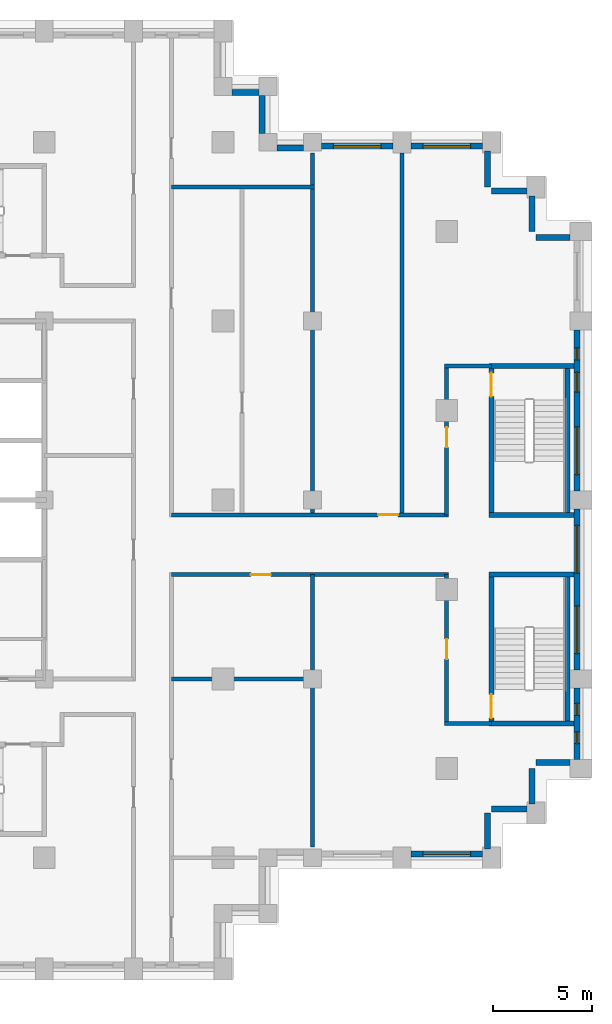
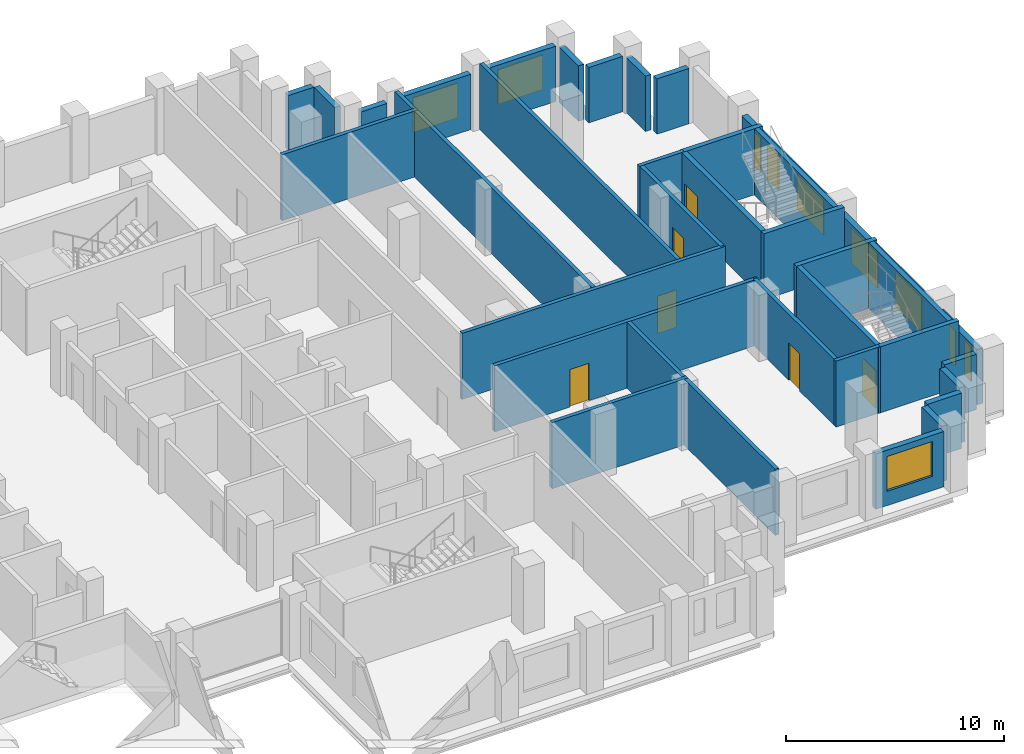
# One storey, part 12 of 16: 36 walls, 10 windows, 6 doors, 16 openings.
"""IFC4 building model written with IfcOpenShell, lengths in metres."""

from ifc_helpers import new_model, si_unit, direction, frame, frame_2d, origin, place, context, subcontext, project, spatial, rectangle, extrude, material, layer, layer_set, type_object, element, fill, save


model = new_model("IFC4")

# Units and contexts
model_context = context("Model", 3, precision=1e-05, world=origin(), true_north=direction((0.0, 1.0)))
body_context = subcontext(model_context, "Body", "Model", "MODEL_VIEW")
ifc_project = project(units=[si_unit("LENGTHUNIT", "METRE"), si_unit("AREAUNIT", "SQUARE_METRE"), si_unit("VOLUMEUNIT", "CUBIC_METRE"), si_unit("PLANEANGLEUNIT", "RADIAN"), si_unit("MASSUNIT", "GRAM", prefix="KILO")], contexts=[model_context])

# Site, building, storey
site_placement = place(None, origin())
site = spatial("IfcSite", under=ifc_project, at=site_placement, CompositionType="ELEMENT")
building_placement = place(site_placement, origin())
building = spatial("IfcBuilding", under=site, at=building_placement, Name="Corbelhall Arena Tower", CompositionType="ELEMENT")
storey_placement = place(building_placement, frame((0.0, 0.0, 150.0)))
storey = spatial("IfcBuildingStorey", under=building, at=storey_placement, Name="L29", CompositionType="ELEMENT", Elevation=150.0)

# Walls
ifc_material_1 = material(Name="Precast concrete C40/50 with granite facing", Category="masonry")
ifc_layer_1 = layer(ifc_material_1, 0.300048828125)
ifc_layer_set_1 = layer_set([ifc_layer_1], Name="EV-IW1 Infill panel 300")
wall_type_1 = type_object("IfcWallType", Name="EV-IW1 Infill panel 300", PredefinedType="SOLIDWALL", material=ifc_layer_set_1)
for number, where, z_axis, x_axis, name in (
    (1, (35.800048828125, -17.550048828125, 0.0), (0.0, 0.0, 1.0), (0.0, 1.0, 0.0), "Infill panel IW1"),
    (2, (37.800048828125, -15.550048828125, 0.0), (0.0, 0.0, 1.0), (-1.0, 0.0, 0.0), "Infill panel IW1"),
    (3, (38.050048828125, -15.300048828125, 0.0), (0.0, 0.0, 1.0), (0.0, 1.0, 0.0), "Infill panel IW1"),
):
    element("IfcWall", number, at=place(storey_placement, frame(where, z_axis=z_axis, x_axis=x_axis)), inside=storey, type_object=wall_type_1, Name=name, PredefinedType="SOLIDWALL", context=body_context, shape_type="SweptSolid", body=[
        extrude(rectangle(XDim=1.800048828125, YDim=0.300048828125, at=frame_2d((0.89990234375, 0.0))), origin(), (0.0, 0.0, 1.0), 3.10009765625),
    ])
for number, where, z_axis, x_axis, name in (
    (4, (39.949951171875, -13.199951171875, 0.0), (0.0, 0.0, 1.0), (-1.0, 0.0, 0.0), "Infill panel IW1"),
    (5, (39.949951171875, 13.199951171875, 0.0), (0.0, 0.0, 1.0), (-1.0, 0.0, 0.0), "Infill panel IW1"),
):
    element("IfcWall", number, at=place(storey_placement, frame(where, z_axis=z_axis, x_axis=x_axis)), inside=storey, type_object=wall_type_1, Name=name, PredefinedType="SOLIDWALL", context=body_context, shape_type="SweptSolid", body=[
        extrude(rectangle(XDim=1.699951171875, YDim=0.300048828125, at=frame_2d((0.85009765625, 0.0))), origin(), (0.0, 0.0, 1.0), 3.10009765625),
    ])
for number, where, z_axis, x_axis, name in (
    (6, (38.050048828125, 15.300048828125, 0.0), (0.0, 0.0, 1.0), (0.0, -1.0, 0.0), "Infill panel IW1"),
    (7, (37.800048828125, 15.550048828125, 0.0), (0.0, 0.0, 1.0), (-1.0, 0.0, 0.0), "Infill panel IW1"),
    (8, (35.800048828125, 17.550048828125, 0.0), (0.0, 0.0, 1.0), (0.0, -1.0, 0.0), "Infill panel IW1"),
):
    element("IfcWall", number, at=place(storey_placement, frame(where, z_axis=z_axis, x_axis=x_axis)), inside=storey, type_object=wall_type_1, Name=name, PredefinedType="SOLIDWALL", context=body_context, shape_type="SweptSolid", body=[
        extrude(rectangle(XDim=1.800048828125, YDim=0.300048828125, at=frame_2d((0.89990234375, 0.0))), origin(), (0.0, 0.0, 1.0), 3.10009765625),
    ])

# Wall, opening, window
wall_1_placement = place(storey_placement, frame((31.949951171875, -17.800048828125, 0.0), z_axis=(0.0, 0.0, 1.0), x_axis=(1.0, 0.0, 0.0)))
wall_1 = element("IfcWall", 9, at=wall_1_placement, inside=storey, type_object=wall_type_1, Name="Infill panel IW1", PredefinedType="SOLIDWALL", context=body_context, shape_type="SweptSolid", body=[
    extrude(rectangle(XDim=3.60009765625, YDim=0.300048828125, at=frame_2d((1.800048828125, 0.0))), origin(), (0.0, 0.0, 1.0), 3.10009765625),
])
opening_1_placement = place(wall_1_placement, frame((0.60009765625, 0.0, 0.800048828125)))
opening_1 = element("IfcOpeningElement", 10, at=opening_1_placement, cuts=wall_1, Name="Opening WN1", PredefinedType="OPENING", context=body_context, shape_type="SweptSolid", body=[
    extrude(rectangle(XDim=2.39990234375, YDim=1.949951171875, at=frame_2d((1.199951171875, 0.97509765625))), frame((0.0, 0.14990234375, 0.0), z_axis=(0.0, -1.0, 0.0), x_axis=(1.0, 0.0, 0.0)), (0.0, 0.0, 1.0), 0.300048828125),
])
ifc_material_2 = material(Name="Aluminium black anodised", Category="aluminium")
window_type_1 = type_object("IfcWindowType", Name="EV-WN1 Office window", PartitioningType="SINGLE_PANEL", PredefinedType="WINDOW", material=ifc_material_2)
window_1_placement = place(opening_1_placement, origin())
window_1 = element("IfcWindow", 11, at=window_1_placement, inside=storey, type_object=window_type_1, Name="Window WN1", OverallHeight=1.949951171875, OverallWidth=2.39990234375, PartitioningType="SINGLE_PANEL", PredefinedType="WINDOW", context=body_context, shape_type="SweptSolid", body=[
    extrude(rectangle(XDim=2.39990234375, YDim=1.949951171875, at=frame_2d((1.199951171875, 0.97509765625))), frame((0.0, 0.030029296875, 0.0), z_axis=(0.0, -1.0, 0.0), x_axis=(1.0, 0.0, 0.0)), (0.0, 0.0, 1.0), 0.06005859375),
])
fill(opening_1, window_1)

# Wall, openings, windows
wall_2_placement = place(storey_placement, frame((40.300048828125, -13.050048828125, 0.0), z_axis=(0.0, 0.0, 1.0), x_axis=(0.0, 1.0, 0.0)))
wall_2 = element("IfcWall", 12, at=wall_2_placement, inside=storey, type_object=wall_type_1, Name="Infill panel IW1", PredefinedType="SOLIDWALL", context=body_context, shape_type="SweptSolid", body=[
    extrude(rectangle(XDim=3.60009765625, YDim=0.300048828125, at=frame_2d((1.800048828125, 0.0))), origin(), (0.0, 0.0, 1.0), 3.10009765625),
])
opening_2_placement = place(wall_2_placement, frame((0.78759765625, 0.0, 0.800048828125)))
opening_2 = element("IfcOpeningElement", 13, at=opening_2_placement, cuts=wall_2, Name="Opening WN5", PredefinedType="OPENING", context=body_context, shape_type="SweptSolid", body=[
    extrude(rectangle(XDim=0.60009765625, YDim=1.949951171875, at=frame_2d((0.300048828125, 0.97509765625))), frame((0.0, 0.14990234375, 0.0), z_axis=(0.0, -1.0, 0.0), x_axis=(1.0, 0.0, 0.0)), (0.0, 0.0, 1.0), 0.300048828125),
])
opening_3_placement = place(wall_2_placement, frame((2.21240234375, 0.0, 0.800048828125)))
opening_3 = element("IfcOpeningElement", 14, at=opening_3_placement, cuts=wall_2, Name="Opening WN5", PredefinedType="OPENING", context=body_context, shape_type="SweptSolid", body=[
    extrude(rectangle(XDim=0.60009765625, YDim=1.949951171875, at=frame_2d((0.300048828125, 0.97509765625))), frame((0.0, 0.14990234375, 0.0), z_axis=(0.0, -1.0, 0.0), x_axis=(1.0, 0.0, 0.0)), (0.0, 0.0, 1.0), 0.300048828125),
])
window_type_2 = type_object("IfcWindowType", Name="EV-WN5 Office window 600", PartitioningType="SINGLE_PANEL", PredefinedType="WINDOW", material=ifc_material_2)
window_2_placement = place(opening_2_placement, origin())
window_2 = element("IfcWindow", 15, at=window_2_placement, inside=storey, type_object=window_type_2, Name="Window WN5", OverallHeight=1.949951171875, OverallWidth=0.60009765625, PartitioningType="SINGLE_PANEL", PredefinedType="WINDOW", context=body_context, shape_type="SweptSolid", body=[
    extrude(rectangle(XDim=0.60009765625, YDim=1.949951171875, at=frame_2d((0.300048828125, 0.97509765625))), frame((0.0, 0.030029296875, 0.0), z_axis=(0.0, -1.0, 0.0), x_axis=(1.0, 0.0, 0.0)), (0.0, 0.0, 1.0), 0.06005859375),
])
fill(opening_2, window_2)
window_3_placement = place(opening_3_placement, origin())
window_3 = element("IfcWindow", 16, at=window_3_placement, inside=storey, type_object=window_type_2, Name="Window WN5", OverallHeight=1.949951171875, OverallWidth=0.60009765625, PartitioningType="SINGLE_PANEL", PredefinedType="WINDOW", context=body_context, shape_type="SweptSolid", body=[
    extrude(rectangle(XDim=0.60009765625, YDim=1.949951171875, at=frame_2d((0.300048828125, 0.97509765625))), frame((0.0, 0.030029296875, 0.0), z_axis=(0.0, -1.0, 0.0), x_axis=(1.0, 0.0, 0.0)), (0.0, 0.0, 1.0), 0.06005859375),
])
fill(opening_3, window_3)

wall_3_placement = place(storey_placement, frame((40.300048828125, -8.550048828125, 0.0), z_axis=(0.0, 0.0, 1.0), x_axis=(0.0, 1.0, 0.0)))
wall_3 = element("IfcWall", 17, at=wall_3_placement, inside=storey, type_object=wall_type_1, Name="Infill panel IW1", PredefinedType="SOLIDWALL", context=body_context, shape_type="SweptSolid", body=[
    extrude(rectangle(XDim=8.10009765625, YDim=0.300048828125, at=frame_2d((4.050048828125, 0.0))), origin(), (0.0, 0.0, 1.0), 3.10009765625),
])
opening_4_placement = place(wall_3_placement, frame((0.824951171875, 0.0, 0.800048828125)))
opening_4 = element("IfcOpeningElement", 18, at=opening_4_placement, cuts=wall_3, Name="Opening WN1", PredefinedType="OPENING", context=body_context, shape_type="SweptSolid", body=[
    extrude(rectangle(XDim=2.39990234375, YDim=1.949951171875, at=frame_2d((1.199951171875, 0.97509765625))), frame((0.0, 0.14990234375, 0.0), z_axis=(0.0, -1.0, 0.0), x_axis=(1.0, 0.0, 0.0)), (0.0, 0.0, 1.0), 0.300048828125),
])
opening_5_placement = place(wall_3_placement, frame((4.875, 0.0, 0.800048828125)))
opening_5 = element("IfcOpeningElement", 19, at=opening_5_placement, cuts=wall_3, Name="Opening WN1", PredefinedType="OPENING", context=body_context, shape_type="SweptSolid", body=[
    extrude(rectangle(XDim=2.39990234375, YDim=1.949951171875, at=frame_2d((1.199951171875, 0.97509765625))), frame((0.0, 0.14990234375, 0.0), z_axis=(0.0, -1.0, 0.0), x_axis=(1.0, 0.0, 0.0)), (0.0, 0.0, 1.0), 0.300048828125),
])
window_4_placement = place(opening_4_placement, origin())
window_4 = element("IfcWindow", 20, at=window_4_placement, inside=storey, type_object=window_type_1, Name="Window WN1", OverallHeight=1.949951171875, OverallWidth=2.39990234375, PartitioningType="SINGLE_PANEL", PredefinedType="WINDOW", context=body_context, shape_type="SweptSolid", body=[
    extrude(rectangle(XDim=2.39990234375, YDim=1.949951171875, at=frame_2d((1.199951171875, 0.97509765625))), frame((0.0, 0.030029296875, 0.0), z_axis=(0.0, -1.0, 0.0), x_axis=(1.0, 0.0, 0.0)), (0.0, 0.0, 1.0), 0.06005859375),
])
fill(opening_4, window_4)
window_5_placement = place(opening_5_placement, origin())
window_5 = element("IfcWindow", 21, at=window_5_placement, inside=storey, type_object=window_type_1, Name="Window WN1", OverallHeight=1.949951171875, OverallWidth=2.39990234375, PartitioningType="SINGLE_PANEL", PredefinedType="WINDOW", context=body_context, shape_type="SweptSolid", body=[
    extrude(rectangle(XDim=2.39990234375, YDim=1.949951171875, at=frame_2d((1.199951171875, 0.97509765625))), frame((0.0, 0.030029296875, 0.0), z_axis=(0.0, -1.0, 0.0), x_axis=(1.0, 0.0, 0.0)), (0.0, 0.0, 1.0), 0.06005859375),
])
fill(opening_5, window_5)

wall_4_placement = place(storey_placement, frame((40.300048828125, 0.449951171875, 0.0), z_axis=(0.0, 0.0, 1.0), x_axis=(0.0, 1.0, 0.0)))
wall_4 = element("IfcWall", 22, at=wall_4_placement, inside=storey, type_object=wall_type_1, Name="Infill panel IW1", PredefinedType="SOLIDWALL", context=body_context, shape_type="SweptSolid", body=[
    extrude(rectangle(XDim=8.10009765625, YDim=0.300048828125, at=frame_2d((4.050048828125, 0.0))), origin(), (0.0, 0.0, 1.0), 3.10009765625),
])
opening_6_placement = place(wall_4_placement, frame((0.824951171875, 0.0, 0.800048828125)))
opening_6 = element("IfcOpeningElement", 23, at=opening_6_placement, cuts=wall_4, Name="Opening WN1", PredefinedType="OPENING", context=body_context, shape_type="SweptSolid", body=[
    extrude(rectangle(XDim=2.39990234375, YDim=1.949951171875, at=frame_2d((1.199951171875, 0.97509765625))), frame((0.0, 0.14990234375, 0.0), z_axis=(0.0, -1.0, 0.0), x_axis=(1.0, 0.0, 0.0)), (0.0, 0.0, 1.0), 0.300048828125),
])
opening_7_placement = place(wall_4_placement, frame((4.97509765625, 0.0, 0.800048828125)))
opening_7 = element("IfcOpeningElement", 24, at=opening_7_placement, cuts=wall_4, Name="Opening WN6", PredefinedType="OPENING", context=body_context, shape_type="SweptSolid", body=[
    extrude(rectangle(XDim=1.0, YDim=1.949951171875, at=frame_2d((0.5, 0.97509765625))), frame((0.0, 0.14990234375, 0.0), z_axis=(0.0, -1.0, 0.0), x_axis=(1.0, 0.0, 0.0)), (0.0, 0.0, 1.0), 0.300048828125),
])
opening_8_placement = place(wall_4_placement, frame((6.60009765625, 0.0, 0.800048828125)))
opening_8 = element("IfcOpeningElement", 25, at=opening_8_placement, cuts=wall_4, Name="Opening WN5", PredefinedType="OPENING", context=body_context, shape_type="SweptSolid", body=[
    extrude(rectangle(XDim=0.60009765625, YDim=1.949951171875, at=frame_2d((0.300048828125, 0.97509765625))), frame((0.0, 0.14990234375, 0.0), z_axis=(0.0, -1.0, 0.0), x_axis=(1.0, 0.0, 0.0)), (0.0, 0.0, 1.0), 0.300048828125),
])
window_6_placement = place(opening_6_placement, origin())
window_6 = element("IfcWindow", 26, at=window_6_placement, inside=storey, type_object=window_type_1, Name="Window WN1", OverallHeight=1.949951171875, OverallWidth=2.39990234375, PartitioningType="SINGLE_PANEL", PredefinedType="WINDOW", context=body_context, shape_type="SweptSolid", body=[
    extrude(rectangle(XDim=2.39990234375, YDim=1.949951171875, at=frame_2d((1.199951171875, 0.97509765625))), frame((0.0, 0.030029296875, 0.0), z_axis=(0.0, -1.0, 0.0), x_axis=(1.0, 0.0, 0.0)), (0.0, 0.0, 1.0), 0.06005859375),
])
fill(opening_6, window_6)
window_7_placement = place(opening_8_placement, origin())
window_7 = element("IfcWindow", 27, at=window_7_placement, inside=storey, type_object=window_type_2, Name="Window WN5", OverallHeight=1.949951171875, OverallWidth=0.60009765625, PartitioningType="SINGLE_PANEL", PredefinedType="WINDOW", context=body_context, shape_type="SweptSolid", body=[
    extrude(rectangle(XDim=0.60009765625, YDim=1.949951171875, at=frame_2d((0.300048828125, 0.97509765625))), frame((0.0, 0.030029296875, 0.0), z_axis=(0.0, -1.0, 0.0), x_axis=(1.0, 0.0, 0.0)), (0.0, 0.0, 1.0), 0.06005859375),
])
fill(opening_8, window_7)
window_type_3 = type_object("IfcWindowType", Name="EV-WN6 Office window 1000", PartitioningType="SINGLE_PANEL", PredefinedType="WINDOW", material=ifc_material_2)
window_8_placement = place(opening_7_placement, origin())
window_8 = element("IfcWindow", 28, at=window_8_placement, inside=storey, type_object=window_type_3, Name="Window WN6", OverallHeight=1.949951171875, OverallWidth=1.0, PartitioningType="SINGLE_PANEL", PredefinedType="WINDOW", context=body_context, shape_type="SweptSolid", body=[
    extrude(rectangle(XDim=1.0, YDim=1.949951171875, at=frame_2d((0.5, 0.97509765625))), frame((0.0, 0.030029296875, 0.0), z_axis=(0.0, -1.0, 0.0), x_axis=(1.0, 0.0, 0.0)), (0.0, 0.0, 1.0), 0.06005859375),
])
fill(opening_7, window_8)

# Wall, opening, window
wall_5_placement = place(storey_placement, frame((35.550048828125, 17.800048828125, 0.0), z_axis=(0.0, 0.0, 1.0), x_axis=(-1.0, 0.0, 0.0)))
wall_5 = element("IfcWall", 29, at=wall_5_placement, inside=storey, type_object=wall_type_1, Name="Infill panel IW1", PredefinedType="SOLIDWALL", context=body_context, shape_type="SweptSolid", body=[
    extrude(rectangle(XDim=3.60009765625, YDim=0.300048828125, at=frame_2d((1.800048828125, 0.0))), origin(), (0.0, 0.0, 1.0), 3.10009765625),
])
opening_9_placement = place(wall_5_placement, frame((0.60009765625, 0.0, 0.800048828125)))
opening_9 = element("IfcOpeningElement", 30, at=opening_9_placement, cuts=wall_5, Name="Opening WN1", PredefinedType="OPENING", context=body_context, shape_type="SweptSolid", body=[
    extrude(rectangle(XDim=2.39990234375, YDim=1.949951171875, at=frame_2d((1.199951171875, 0.97509765625))), frame((0.0, 0.14990234375, 0.0), z_axis=(0.0, -1.0, 0.0), x_axis=(1.0, 0.0, 0.0)), (0.0, 0.0, 1.0), 0.300048828125),
])
window_9_placement = place(opening_9_placement, origin())
window_9 = element("IfcWindow", 31, at=window_9_placement, inside=storey, type_object=window_type_1, Name="Window WN1", OverallHeight=1.949951171875, OverallWidth=2.39990234375, PartitioningType="SINGLE_PANEL", PredefinedType="WINDOW", context=body_context, shape_type="SweptSolid", body=[
    extrude(rectangle(XDim=2.39990234375, YDim=1.949951171875, at=frame_2d((1.199951171875, 0.97509765625))), frame((0.0, 0.030029296875, 0.0), z_axis=(0.0, -1.0, 0.0), x_axis=(1.0, 0.0, 0.0)), (0.0, 0.0, 1.0), 0.06005859375),
])
fill(opening_9, window_9)

wall_6_placement = place(storey_placement, frame((31.050048828125, 17.800048828125, 0.0), z_axis=(0.0, 0.0, 1.0), x_axis=(-1.0, 0.0, 0.0)))
wall_6 = element("IfcWall", 32, at=wall_6_placement, inside=storey, type_object=wall_type_1, Name="Infill panel IW1", PredefinedType="SOLIDWALL", context=body_context, shape_type="SweptSolid", body=[
    extrude(rectangle(XDim=3.60009765625, YDim=0.300048828125, at=frame_2d((1.800048828125, 0.0))), origin(), (0.0, 0.0, 1.0), 3.10009765625),
])
opening_10_placement = place(wall_6_placement, frame((0.60009765625, 0.0, 0.800048828125)))
opening_10 = element("IfcOpeningElement", 33, at=opening_10_placement, cuts=wall_6, Name="Opening WN1", PredefinedType="OPENING", context=body_context, shape_type="SweptSolid", body=[
    extrude(rectangle(XDim=2.39990234375, YDim=1.949951171875, at=frame_2d((1.199951171875, 0.97509765625))), frame((0.0, 0.14990234375, 0.0), z_axis=(0.0, -1.0, 0.0), x_axis=(1.0, 0.0, 0.0)), (0.0, 0.0, 1.0), 0.300048828125),
])
window_10_placement = place(opening_10_placement, origin())
window_10 = element("IfcWindow", 34, at=window_10_placement, inside=storey, type_object=window_type_1, Name="Window WN1", OverallHeight=1.949951171875, OverallWidth=2.39990234375, PartitioningType="SINGLE_PANEL", PredefinedType="WINDOW", context=body_context, shape_type="SweptSolid", body=[
    extrude(rectangle(XDim=2.39990234375, YDim=1.949951171875, at=frame_2d((1.199951171875, 0.97509765625))), frame((0.0, 0.030029296875, 0.0), z_axis=(0.0, -1.0, 0.0), x_axis=(1.0, 0.0, 0.0)), (0.0, 0.0, 1.0), 0.06005859375),
])
fill(opening_10, window_10)

# Walls
wall_7_placement = place(storey_placement, frame((26.550048828125, 17.699951171875, 0.0), z_axis=(0.0, 0.0, 1.0), x_axis=(-1.0, 0.0, 0.0)))
element("IfcWall", 35, at=wall_7_placement, inside=storey, type_object=wall_type_1, Name="Infill panel IW1", PredefinedType="SOLIDWALL", context=body_context, shape_type="SweptSolid", body=[
    extrude(rectangle(XDim=1.35009765625, YDim=0.300048828125, at=frame_2d((0.675048828125, 0.0))), origin(), (0.0, 0.0, 1.0), 3.10009765625),
])
wall_8_placement = place(storey_placement, frame((24.449951171875, 18.449951171875, 0.0), z_axis=(0.0, 0.0, 1.0), x_axis=(0.0, 1.0, 0.0)))
element("IfcWall", 36, at=wall_8_placement, inside=storey, type_object=wall_type_1, Name="Infill panel IW1", PredefinedType="SOLIDWALL", context=body_context, shape_type="SweptSolid", body=[
    extrude(rectangle(XDim=1.900146484375, YDim=0.300048828125, at=frame_2d((0.9501953125, 0.0))), origin(), (0.0, 0.0, 1.0), 3.10009765625),
])
wall_9_placement = place(storey_placement, frame((24.300048828125, 20.5, 0.0), z_axis=(0.0, 0.0, 1.0), x_axis=(-1.0, 0.0, 0.0)))
element("IfcWall", 37, at=wall_9_placement, inside=storey, type_object=wall_type_1, Name="Infill panel IW1", PredefinedType="SOLIDWALL", context=body_context, shape_type="SweptSolid", body=[
    extrude(rectangle(XDim=1.35009765625, YDim=0.300048828125, at=frame_2d((0.675048828125, 0.0))), origin(), (0.0, 0.0, 1.0), 3.10009765625),
])
ifc_material_3 = material(Name="Gypsum board on steel stud, acoustic", Category="steel")
ifc_layer_2 = layer(ifc_material_3, 0.199951171875)
ifc_layer_set_2 = layer_set([ifc_layer_2], Name="IN-W-DM200")
wall_type_2 = type_object("IfcWallType", Name="IN-W-DM200", PredefinedType="PARTITIONING", material=ifc_layer_set_2)
wall_10_placement = place(storey_placement, frame((19.89990234375, -9.0, 0.0), z_axis=(0.0, 0.0, 1.0), x_axis=(1.0, 0.0, 0.0)))
element("IfcWall", 38, at=wall_10_placement, inside=storey, type_object=wall_type_2, Name="Partition 051", PredefinedType="PARTITIONING", context=body_context, shape_type="SweptSolid", body=[
    extrude(rectangle(XDim=7.2001953125, YDim=0.199951171875, at=frame_2d((3.60009765625, 0.0))), origin(), (0.0, 0.0, 1.0), 3.699951171875),
])

# Wall, opening, door
wall_11_placement = place(storey_placement, frame((19.89990234375, -0.75, 0.0), z_axis=(0.0, 0.0, 1.0), x_axis=(1.0, 0.0, 0.0)))
wall_11 = element("IfcWall", 39, at=wall_11_placement, inside=storey, type_object=wall_type_2, Name="Partition 052", PredefinedType="PARTITIONING", context=body_context, shape_type="SweptSolid", body=[
    extrude(rectangle(XDim=13.9501953125, YDim=0.199951171875, at=frame_2d((6.97509765625, 0.0))), origin(), (0.0, 0.0, 1.0), 3.699951171875),
])
opening_11_placement = place(wall_11_placement, frame((10.39990234375, 0.0, 0.0)))
opening_11 = element("IfcOpeningElement", 40, at=opening_11_placement, cuts=wall_11, Name="Opening 08045", PredefinedType="OPENING", context=body_context, shape_type="SweptSolid", body=[
    extrude(rectangle(XDim=1.0, YDim=2.10009765625, at=frame_2d((0.5, 1.050048828125))), frame((0.0, 0.10009765625, 0.0), z_axis=(0.0, -1.0, 0.0), x_axis=(1.0, 0.0, 0.0)), (0.0, 0.0, 1.0), 0.199951171875),
])
ifc_material_4 = material(Name="Steel door set", Category="steel")
door_type_1 = type_object("IfcDoorType", Name="IN-D-SW100", OperationType="NOTDEFINED", PredefinedType="DOOR", material=ifc_material_4)
door_1_placement = place(opening_11_placement, origin())
door_1 = element("IfcDoor", 41, at=door_1_placement, inside=storey, type_object=door_type_1, Name="Door 045", OperationType="SINGLE_SWING_RIGHT", OverallHeight=2.10009765625, OverallWidth=1.0, PredefinedType="DOOR", context=body_context, shape_type="SweptSolid", body=[
    extrude(rectangle(XDim=1.0, YDim=2.10009765625, at=frame_2d((0.5, 1.050048828125))), frame((0.0, 0.02490234375, 0.0), z_axis=(0.0, -1.0, 0.0), x_axis=(1.0, 0.0, 0.0)), (0.0, 0.0, 1.0), 0.050048828125),
])
fill(opening_11, door_1)

# Walls
wall_12_placement = place(storey_placement, frame((19.89990234375, 15.75, 0.0), z_axis=(0.0, 0.0, 1.0), x_axis=(1.0, 0.0, 0.0)))
element("IfcWall", 42, at=wall_12_placement, inside=storey, type_object=wall_type_2, Name="Partition 053", PredefinedType="PARTITIONING", context=body_context, shape_type="SweptSolid", body=[
    extrude(rectangle(XDim=7.2001953125, YDim=0.199951171875, at=frame_2d((3.60009765625, 0.0))), origin(), (0.0, 0.0, 1.0), 3.699951171875),
])
wall_13_placement = place(storey_placement, frame((27.0, -3.75, 0.0), z_axis=(0.0, 0.0, 1.0), x_axis=(0.0, -1.0, 0.0)))
element("IfcWall", 43, at=wall_13_placement, inside=storey, type_object=wall_type_2, Name="Partition 056", PredefinedType="PARTITIONING", context=body_context, shape_type="SweptSolid", body=[
    extrude(rectangle(XDim=13.699951171875, YDim=0.199951171875, at=frame_2d((6.85009765625, 0.0))), origin(), (0.0, 0.0, 1.0), 3.699951171875),
])
wall_14_placement = place(storey_placement, frame((27.0, 17.449951171875, 0.0), z_axis=(0.0, 0.0, 1.0), x_axis=(0.0, -1.0, 0.0)))
element("IfcWall", 44, at=wall_14_placement, inside=storey, type_object=wall_type_2, Name="Partition 057", PredefinedType="PARTITIONING", context=body_context, shape_type="SweptSolid", body=[
    extrude(rectangle(XDim=18.199951171875, YDim=0.199951171875, at=frame_2d((9.10009765625, 0.0))), origin(), (0.0, 0.0, 1.0), 3.699951171875),
])

# Wall, opening, door
wall_15_placement = place(storey_placement, frame((33.85009765625, -3.75, 0.0), z_axis=(0.0, 0.0, 1.0), x_axis=(-1.0, 0.0, 0.0)))
wall_15 = element("IfcWall", 45, at=wall_15_placement, inside=storey, type_object=wall_type_2, Name="Partition 058", PredefinedType="PARTITIONING", context=body_context, shape_type="SweptSolid", body=[
    extrude(rectangle(XDim=13.9501953125, YDim=0.199951171875, at=frame_2d((6.97509765625, 0.0))), origin(), (0.0, 0.0, 1.0), 3.699951171875),
])
opening_12_placement = place(wall_15_placement, frame((8.949951171875, 0.0, 0.0)))
opening_12 = element("IfcOpeningElement", 46, at=opening_12_placement, cuts=wall_15, Name="Opening 08041", PredefinedType="OPENING", context=body_context, shape_type="SweptSolid", body=[
    extrude(rectangle(XDim=1.0, YDim=2.10009765625, at=frame_2d((0.5, 1.050048828125))), frame((0.0, 0.10009765625, 0.0), z_axis=(0.0, -1.0, 0.0), x_axis=(1.0, 0.0, 0.0)), (0.0, 0.0, 1.0), 0.199951171875),
])
door_2_placement = place(opening_12_placement, origin())
door_2 = element("IfcDoor", 47, at=door_2_placement, inside=storey, type_object=door_type_1, Name="Door 041", OperationType="SINGLE_SWING_RIGHT", OverallHeight=2.10009765625, OverallWidth=1.0, PredefinedType="DOOR", context=body_context, shape_type="SweptSolid", body=[
    extrude(rectangle(XDim=1.0, YDim=2.10009765625, at=frame_2d((0.5, 1.050048828125))), frame((0.0, 0.02490234375, 0.0), z_axis=(0.0, -1.0, 0.0), x_axis=(1.0, 0.0, 0.0)), (0.0, 0.0, 1.0), 0.050048828125),
])
fill(opening_12, door_2)

# Walls
wall_16_placement = place(storey_placement, frame((31.5, 17.449951171875, 0.0), z_axis=(0.0, 0.0, 1.0), x_axis=(0.0, -1.0, 0.0)))
element("IfcWall", 48, at=wall_16_placement, inside=storey, type_object=wall_type_2, Name="Partition 059", PredefinedType="PARTITIONING", context=body_context, shape_type="SweptSolid", body=[
    extrude(rectangle(XDim=18.199951171875, YDim=0.199951171875, at=frame_2d((9.10009765625, 0.0))), origin(), (0.0, 0.0, 1.0), 3.699951171875),
])
wall_17_placement = place(storey_placement, frame((33.64990234375, 6.75, 0.0), z_axis=(0.0, 0.0, 1.0), x_axis=(1.0, 0.0, 0.0)))
element("IfcWall", 49, at=wall_17_placement, inside=storey, type_object=wall_type_2, Name="Partition 060", PredefinedType="PARTITIONING", context=body_context, shape_type="SweptSolid", body=[
    extrude(rectangle(XDim=2.35009765625, YDim=0.199951171875, at=frame_2d((1.175048828125, 0.0))), origin(), (0.0, 0.0, 1.0), 3.699951171875),
])

# Wall, opening, door
wall_18_placement = place(storey_placement, frame((33.75, -11.25, 0.0), z_axis=(0.0, 0.0, 1.0), x_axis=(0.0, 1.0, 0.0)))
wall_18 = element("IfcWall", 50, at=wall_18_placement, inside=storey, type_object=wall_type_2, Name="Partition 061", PredefinedType="PARTITIONING", context=body_context, shape_type="SweptSolid", body=[
    extrude(rectangle(XDim=7.5, YDim=0.199951171875, at=frame_2d((3.75, 0.0))), origin(), (0.0, 0.0, 1.0), 3.699951171875),
])
opening_13_placement = place(wall_18_placement, frame((3.25, 0.0, 0.0)))
opening_13 = element("IfcOpeningElement", 51, at=opening_13_placement, cuts=wall_18, Name="Opening 08047", PredefinedType="OPENING", context=body_context, shape_type="SweptSolid", body=[
    extrude(rectangle(XDim=1.0, YDim=2.10009765625, at=frame_2d((0.5, 1.050048828125))), frame((0.0, 0.10009765625, 0.0), z_axis=(0.0, -1.0, 0.0), x_axis=(1.0, 0.0, 0.0)), (0.0, 0.0, 1.0), 0.199951171875),
])
door_3_placement = place(opening_13_placement, origin())
door_3 = element("IfcDoor", 52, at=door_3_placement, inside=storey, type_object=door_type_1, Name="Door 047", OperationType="SINGLE_SWING_RIGHT", OverallHeight=2.10009765625, OverallWidth=1.0, PredefinedType="DOOR", context=body_context, shape_type="SweptSolid", body=[
    extrude(rectangle(XDim=1.0, YDim=2.10009765625, at=frame_2d((0.5, 1.050048828125))), frame((0.0, 0.02490234375, 0.0), z_axis=(0.0, -1.0, 0.0), x_axis=(1.0, 0.0, 0.0)), (0.0, 0.0, 1.0), 0.050048828125),
])
fill(opening_13, door_3)

wall_19_placement = place(storey_placement, frame((33.75, -0.75, 0.0), z_axis=(0.0, 0.0, 1.0), x_axis=(0.0, 1.0, 0.0)))
wall_19 = element("IfcWall", 53, at=wall_19_placement, inside=storey, type_object=wall_type_2, Name="Partition 062", PredefinedType="PARTITIONING", context=body_context, shape_type="SweptSolid", body=[
    extrude(rectangle(XDim=7.5, YDim=0.199951171875, at=frame_2d((3.75, 0.0))), origin(), (0.0, 0.0, 1.0), 3.699951171875),
])
opening_14_placement = place(wall_19_placement, frame((3.39990234375, 0.0, 0.0)))
opening_14 = element("IfcOpeningElement", 54, at=opening_14_placement, cuts=wall_19, Name="Opening 08046", PredefinedType="OPENING", context=body_context, shape_type="SweptSolid", body=[
    extrude(rectangle(XDim=1.0, YDim=2.10009765625, at=frame_2d((0.5, 1.050048828125))), frame((0.0, 0.10009765625, 0.0), z_axis=(0.0, -1.0, 0.0), x_axis=(1.0, 0.0, 0.0)), (0.0, 0.0, 1.0), 0.199951171875),
])
door_4_placement = place(opening_14_placement, origin())
door_4 = element("IfcDoor", 55, at=door_4_placement, inside=storey, type_object=door_type_1, Name="Door 046", OperationType="SINGLE_SWING_LEFT", OverallHeight=2.10009765625, OverallWidth=1.0, PredefinedType="DOOR", context=body_context, shape_type="SweptSolid", body=[
    extrude(rectangle(XDim=1.0, YDim=2.10009765625, at=frame_2d((0.5, 1.050048828125))), frame((0.0, 0.02490234375, 0.0), z_axis=(0.0, -1.0, 0.0), x_axis=(1.0, 0.0, 0.0)), (0.0, 0.0, 1.0), 0.050048828125),
])
fill(opening_14, door_4)

# Walls
wall_20_placement = place(storey_placement, frame((36.0, -11.25, 0.0), z_axis=(0.0, 0.0, 1.0), x_axis=(-1.0, 0.0, 0.0)))
element("IfcWall", 56, at=wall_20_placement, inside=storey, type_object=wall_type_2, Name="Partition 063", PredefinedType="PARTITIONING", context=body_context, shape_type="SweptSolid", body=[
    extrude(rectangle(XDim=2.35009765625, YDim=0.199951171875, at=frame_2d((1.175048828125, 0.0))), origin(), (0.0, 0.0, 1.0), 3.699951171875),
])
ifc_material_5 = material(Name="Concrete C40/50", Category="concrete")
ifc_layer_3 = layer(ifc_material_5, 0.25)
ifc_layer_set_3 = layer_set([ifc_layer_3], Name="IN-W-ST250")
wall_type_3 = type_object("IfcWallType", Name="IN-W-ST250", PredefinedType="SOLIDWALL", material=ifc_layer_set_3)
wall_21_placement = place(storey_placement, frame((35.875, -0.75, 0.0), z_axis=(0.0, 0.0, 1.0), x_axis=(1.0, 0.0, 0.0)))
element("IfcWall", 57, at=wall_21_placement, inside=storey, type_object=wall_type_3, Name="Shaft wall 123", PredefinedType="SOLIDWALL", context=body_context, shape_type="SweptSolid", body=[
    extrude(rectangle(XDim=4.27490234375, YDim=0.25, at=frame_2d((2.137451171875, 0.0))), origin(), (0.0, 0.0, 1.0), 3.699951171875),
])

# Wall, opening, door
wall_22_placement = place(storey_placement, frame((36.0, -11.375, 0.0), z_axis=(0.0, 0.0, 1.0), x_axis=(0.0, 1.0, 0.0)))
wall_22 = element("IfcWall", 58, at=wall_22_placement, inside=storey, type_object=wall_type_3, Name="Shaft wall 124", PredefinedType="SOLIDWALL", context=body_context, shape_type="SweptSolid", body=[
    extrude(rectangle(XDim=7.625, YDim=0.25, at=frame_2d((3.8125, 0.0))), origin(), (0.0, 0.0, 1.0), 3.699951171875),
])
opening_15_placement = place(wall_22_placement, frame((0.39990234375, 0.0, 0.0)))
opening_15 = element("IfcOpeningElement", 59, at=opening_15_placement, cuts=wall_22, Name="Opening 08021", PredefinedType="OPENING", context=body_context, shape_type="SweptSolid", body=[
    extrude(rectangle(XDim=1.199951171875, YDim=2.10009765625, at=frame_2d((0.60009765625, 1.050048828125))), frame((0.0, 0.125, 0.0), z_axis=(0.0, -1.0, 0.0), x_axis=(1.0, 0.0, 0.0)), (0.0, 0.0, 1.0), 0.25),
])
door_type_2 = type_object("IfcDoorType", Name="IN-D-ST120", OperationType="NOTDEFINED", PredefinedType="DOOR", material=ifc_material_4)
door_5_placement = place(opening_15_placement, origin())
door_5 = element("IfcDoor", 60, at=door_5_placement, inside=storey, type_object=door_type_2, Name="Door 021", OperationType="SINGLE_SWING_RIGHT", OverallHeight=2.10009765625, OverallWidth=1.199951171875, PredefinedType="DOOR", context=body_context, shape_type="SweptSolid", body=[
    extrude(rectangle(XDim=1.199951171875, YDim=2.10009765625, at=frame_2d((0.60009765625, 1.050048828125))), frame((0.0, 0.02490234375, 0.0), z_axis=(0.0, -1.0, 0.0), x_axis=(1.0, 0.0, 0.0)), (0.0, 0.0, 1.0), 0.050048828125),
])
fill(opening_15, door_5)

wall_23_placement = place(storey_placement, frame((36.0, -0.75, 0.0), z_axis=(0.0, 0.0, 1.0), x_axis=(0.0, 1.0, 0.0)))
wall_23 = element("IfcWall", 61, at=wall_23_placement, inside=storey, type_object=wall_type_3, Name="Shaft wall 125", PredefinedType="SOLIDWALL", context=body_context, shape_type="SweptSolid", body=[
    extrude(rectangle(XDim=7.625, YDim=0.25, at=frame_2d((3.8125, 0.0))), origin(), (0.0, 0.0, 1.0), 3.699951171875),
])
opening_16_placement = place(wall_23_placement, frame((5.949951171875, 0.0, 0.0)))
opening_16 = element("IfcOpeningElement", 62, at=opening_16_placement, cuts=wall_23, Name="Opening 08022", PredefinedType="OPENING", context=body_context, shape_type="SweptSolid", body=[
    extrude(rectangle(XDim=1.199951171875, YDim=2.10009765625, at=frame_2d((0.60009765625, 1.050048828125))), frame((0.0, 0.125, 0.0), z_axis=(0.0, -1.0, 0.0), x_axis=(1.0, 0.0, 0.0)), (0.0, 0.0, 1.0), 0.25),
])
door_6_placement = place(opening_16_placement, origin())
door_6 = element("IfcDoor", 63, at=door_6_placement, inside=storey, type_object=door_type_2, Name="Door 022", OperationType="SINGLE_SWING_LEFT", OverallHeight=2.10009765625, OverallWidth=1.199951171875, PredefinedType="DOOR", context=body_context, shape_type="SweptSolid", body=[
    extrude(rectangle(XDim=1.199951171875, YDim=2.10009765625, at=frame_2d((0.60009765625, 1.050048828125))), frame((0.0, 0.02490234375, 0.0), z_axis=(0.0, -1.0, 0.0), x_axis=(1.0, 0.0, 0.0)), (0.0, 0.0, 1.0), 0.050048828125),
])
fill(opening_16, door_6)

# Walls
for number, where, z_axis, x_axis, name in (
    (64, (36.0, 6.75, 0.0), (0.0, 0.0, 1.0), (1.0, 0.0, 0.0), "Shaft wall 126"),
    (65, (40.14990234375, -11.25, 0.0), (0.0, 0.0, 1.0), (-1.0, 0.0, 0.0), "Shaft wall 127"),
):
    element("IfcWall", number, at=place(storey_placement, frame(where, z_axis=z_axis, x_axis=x_axis)), inside=storey, type_object=wall_type_3, Name=name, PredefinedType="SOLIDWALL", context=body_context, shape_type="SweptSolid", body=[
        extrude(rectangle(XDim=4.14990234375, YDim=0.25, at=frame_2d((2.074951171875, 0.0))), origin(), (0.0, 0.0, 1.0), 3.699951171875),
    ])
wall_24_placement = place(storey_placement, frame((40.14990234375, -3.75, 0.0), z_axis=(0.0, 0.0, 1.0), x_axis=(-1.0, 0.0, 0.0)))
element("IfcWall", 66, at=wall_24_placement, inside=storey, type_object=wall_type_3, Name="Shaft wall 128", PredefinedType="SOLIDWALL", context=body_context, shape_type="SweptSolid", body=[
    extrude(rectangle(XDim=4.27490234375, YDim=0.25, at=frame_2d((2.137451171875, 0.0))), origin(), (0.0, 0.0, 1.0), 3.699951171875),
])
for number, where, z_axis, x_axis, name in (
    (67, (39.824951171875, -11.125, 0.0), (0.0, 0.0, 1.0), (0.0, 1.0, 0.0), "Shaft wall SD1 facade side"),
    (68, (39.824951171875, -0.625, 0.0), (0.0, 0.0, 1.0), (0.0, 1.0, 0.0), "Shaft wall SD2 facade side"),
):
    element("IfcWall", number, at=place(storey_placement, frame(where, z_axis=z_axis, x_axis=x_axis)), inside=storey, type_object=wall_type_3, Name=name, PredefinedType="SOLIDWALL", context=body_context, shape_type="SweptSolid", body=[
        extrude(rectangle(XDim=7.25, YDim=0.25, at=frame_2d((3.625, 0.0))), origin(), (0.0, 0.0, 1.0), 3.699951171875),
    ])

save(model, "model.ifc")
